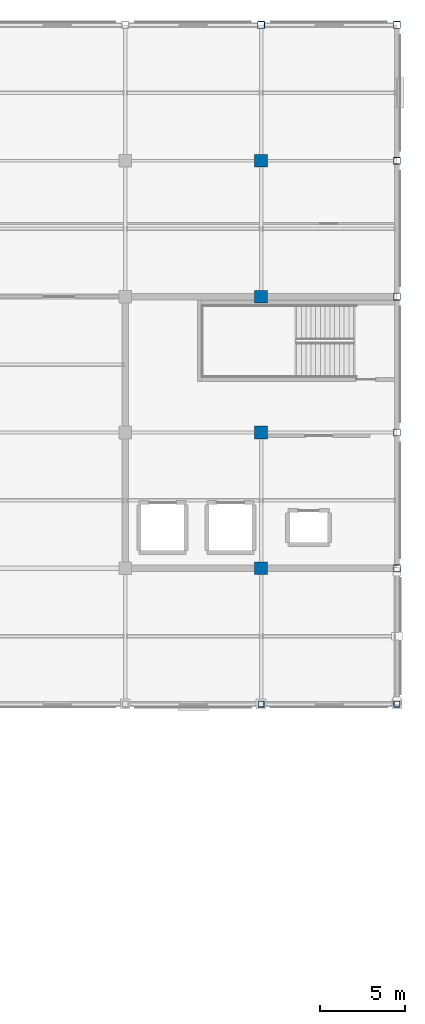
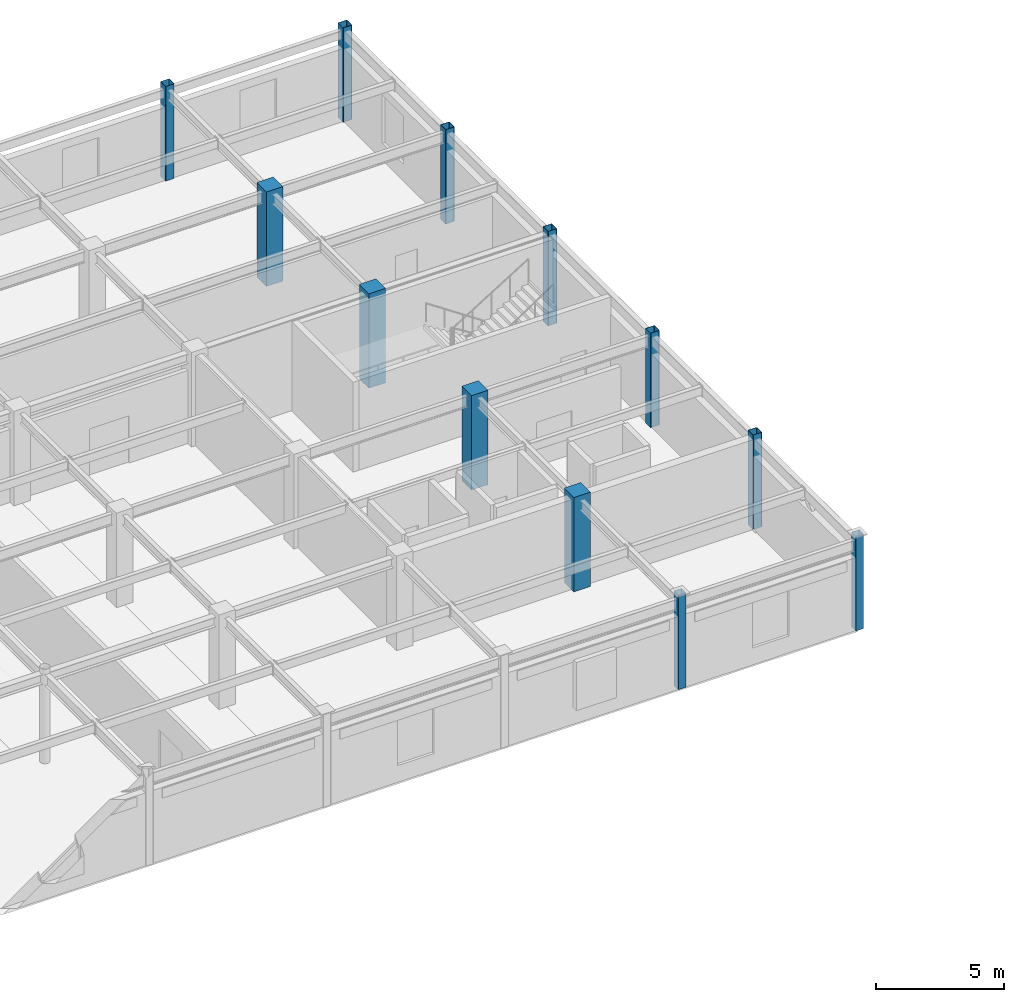
# One storey, part 16 of 93: 12 columns.
"""IFC4 building model written with IfcOpenShell, lengths in metres."""

from ifc_helpers import new_model, si_unit, direction, frame, origin, origin_2d, place, context, subcontext, project, spatial, rectangle, hollow_rectangle, extrude, material, material_profile, profile_set, type_object, element, save


model = new_model("IFC4")

# Units and contexts
model_context = context("Model", 3, precision=1e-05, world=origin(), true_north=direction((0.0, 1.0)))
body_context = subcontext(model_context, "Body", "Model", "MODEL_VIEW")
ifc_project = project(units=[si_unit("LENGTHUNIT", "METRE"), si_unit("AREAUNIT", "SQUARE_METRE"), si_unit("VOLUMEUNIT", "CUBIC_METRE"), si_unit("PLANEANGLEUNIT", "RADIAN"), si_unit("MASSUNIT", "GRAM", prefix="KILO")], contexts=[model_context])

# Site, building, storey
site_placement = place(None, origin())
site = spatial("IfcSite", under=ifc_project, at=site_placement, CompositionType="ELEMENT")
building_placement = place(site_placement, origin())
building = spatial("IfcBuilding", under=site, at=building_placement, Name="Solmirada Galleria", CompositionType="ELEMENT")
storey_placement = place(building_placement, frame((0.0, 0.0, 14.89990234375)))
storey = spatial("IfcBuildingStorey", under=building, at=storey_placement, Name="L03", CompositionType="ELEMENT", Elevation=14.89990234375)

# Columns
ifc_material_1 = material(Name="Steel S355 / ASTM A500 Grade C", Category="steel")
ifc_material_profile_1 = material_profile(ifc_material_1, hollow_rectangle(XDim=0.35595703125, YDim=0.35595703125, WallThickness=0.01171875, InnerFilletRadius=0.01171875, OuterFilletRadius=0.023681640625, at=origin_2d()), Name="HSS14X14X1/2")
ifc_profile_set_1 = profile_set([ifc_material_profile_1], Name="Steel S355 / ASTM A500 Grade C")
column_type_1 = type_object("IfcColumnType", Name="COL-HSS14", PredefinedType="COLUMN", material=ifc_profile_set_1)
for number, where, z_axis, x_axis, name in (
    (1, (168.0, 80.0, 0.0), (0.0, 0.0, 1.0), (1.0, 0.0, 0.0), "Structural column L03-1464"),
    (2, (176.0, 80.0, 0.0), (0.0, 0.0, 1.0), (1.0, 0.0, 0.0), "Structural column L03-1537"),
):
    element("IfcColumn", number, at=place(storey_placement, frame(where, z_axis=z_axis, x_axis=x_axis)), inside=storey, type_object=column_type_1, Name=name, PredefinedType="COLUMN", context=body_context, shape_type="SweptSolid", body=[
        extrude(hollow_rectangle(XDim=0.35595703125, YDim=0.35595703125, WallThickness=0.01171875, InnerFilletRadius=0.01171875, OuterFilletRadius=0.023681640625, at=origin_2d()), origin(), (0.0, 0.0, 1.0), 4.5),
    ])
ifc_material_profile_2 = material_profile(ifc_material_1, hollow_rectangle(XDim=0.406005859375, YDim=0.406005859375, WallThickness=0.0146484375, InnerFilletRadius=0.0146484375, OuterFilletRadius=0.029296875, at=origin_2d()), Name="HSS16X16X5/8")
ifc_profile_set_2 = profile_set([ifc_material_profile_2], Name="Steel S355 / ASTM A500 Grade C")
column_type_2 = type_object("IfcColumnType", Name="COL-HSS16", PredefinedType="COLUMN", material=ifc_profile_set_2)
for number, where, z_axis, x_axis, name in (
    (3, (168.0, 120.0, 0.0), (0.0, 0.0, 1.0), (1.0, 0.0, 0.0), "Structural column L03-1505"),
    (4, (176.0, 88.0, 0.0), (0.0, 0.0, 1.0), (1.0, 0.0, 0.0), "Structural column L03-1542"),
    (5, (176.0, 96.0, 0.0), (0.0, 0.0, 1.0), (1.0, 0.0, 0.0), "Structural column L03-1551"),
    (6, (176.0, 104.0, 0.0), (0.0, 0.0, 1.0), (1.0, 0.0, 0.0), "Structural column L03-1560"),
    (7, (176.0, 112.0, 0.0), (0.0, 0.0, 1.0), (1.0, 0.0, 0.0), "Structural column L03-1569"),
    (8, (176.0, 120.0, 0.0), (0.0, 0.0, 1.0), (1.0, 0.0, 0.0), "Structural column L03-1578"),
):
    element("IfcColumn", number, at=place(storey_placement, frame(where, z_axis=z_axis, x_axis=x_axis)), inside=storey, type_object=column_type_2, Name=name, PredefinedType="COLUMN", context=body_context, shape_type="SweptSolid", body=[
        extrude(hollow_rectangle(XDim=0.406005859375, YDim=0.406005859375, WallThickness=0.0146484375, InnerFilletRadius=0.0146484375, OuterFilletRadius=0.029296875, at=origin_2d()), origin(), (0.0, 0.0, 1.0), 4.5),
    ])
ifc_material_2 = material(Name="Concrete C40/50", Category="concrete")
ifc_material_profile_3 = material_profile(ifc_material_2, rectangle(XDim=0.75, YDim=0.75, at=origin_2d()), Name="RC750X750")
ifc_profile_set_3 = profile_set([ifc_material_profile_3], Name="Concrete C40/50")
column_type_3 = type_object("IfcColumnType", Name="COL-RC750", PredefinedType="COLUMN", material=ifc_profile_set_3)
for number, where, z_axis, x_axis, name in (
    (9, (168.0, 88.0, 0.0), (0.0, 0.0, 1.0), (1.0, 0.0, 0.0), "Structural column L03-1469"),
    (10, (168.0, 96.0, 0.0), (0.0, 0.0, 1.0), (1.0, 0.0, 0.0), "Structural column L03-1478"),
    (11, (168.0, 104.0, 0.0), (0.0, 0.0, 1.0), (1.0, 0.0, 0.0), "Structural column L03-1487"),
    (12, (168.0, 112.0, 0.0), (0.0, 0.0, 1.0), (1.0, 0.0, 0.0), "Structural column L03-1496"),
):
    element("IfcColumn", number, at=place(storey_placement, frame(where, z_axis=z_axis, x_axis=x_axis)), inside=storey, type_object=column_type_3, Name=name, PredefinedType="COLUMN", context=body_context, shape_type="SweptSolid", body=[
        extrude(rectangle(XDim=0.75, YDim=0.75, at=origin_2d()), origin(), (0.0, 0.0, 1.0), 4.5),
    ])

save(model, "model.ifc")
